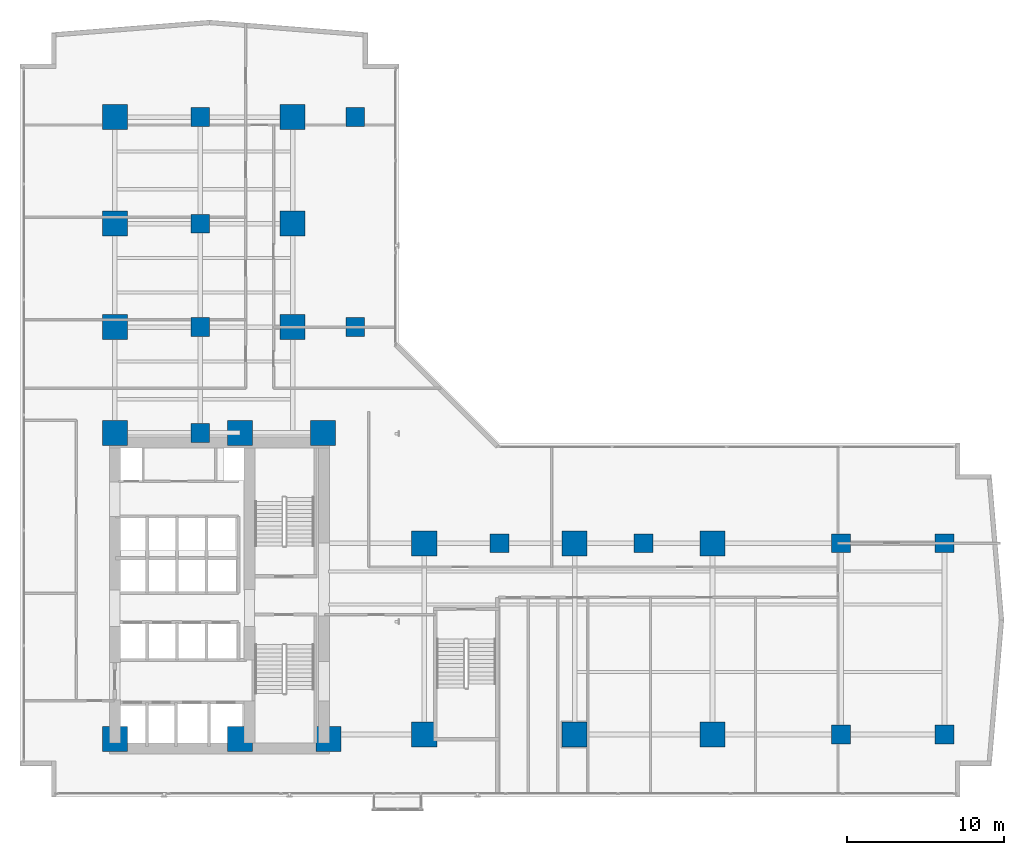
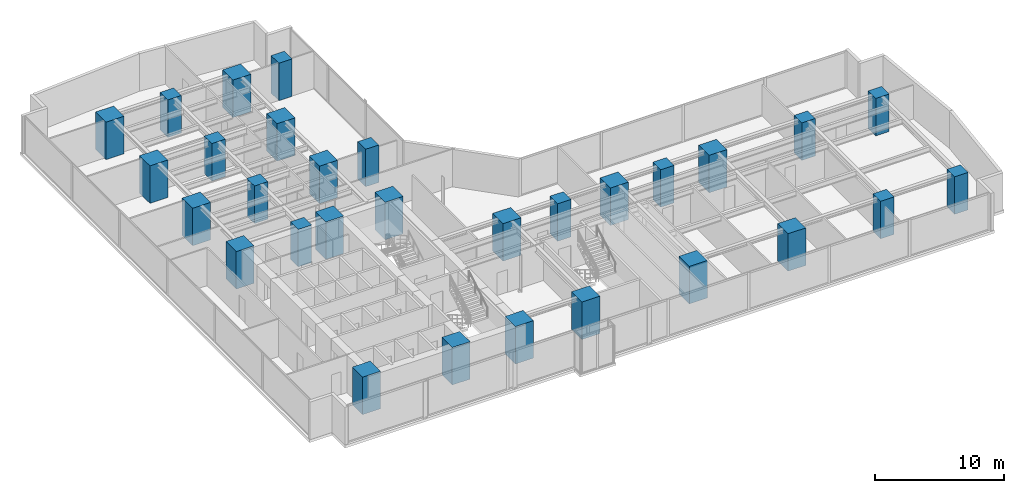
# One storey, part 1 of 27: 30 columns.
"""IFC4 building model written with IfcOpenShell, lengths in metres."""

from ifc_helpers import new_model, si_unit, direction, frame, origin, origin_2d, place, context, subcontext, project, spatial, rectangle, extrude, material, material_profile, profile_set, type_object, element, save


model = new_model("IFC4")

# Units and contexts
model_context = context("Model", 3, precision=1e-05, world=origin(), true_north=direction((0.0, 1.0)))
body_context = subcontext(model_context, "Body", "Model", "MODEL_VIEW")
ifc_project = project(units=[si_unit("LENGTHUNIT", "METRE"), si_unit("AREAUNIT", "SQUARE_METRE"), si_unit("VOLUMEUNIT", "CUBIC_METRE"), si_unit("PLANEANGLEUNIT", "RADIAN"), si_unit("MASSUNIT", "GRAM", prefix="KILO")], contexts=[model_context])

# Site, building, storey
site_placement = place(None, origin())
site = spatial("IfcSite", under=ifc_project, at=site_placement, CompositionType="ELEMENT")
building_placement = place(site_placement, origin())
building = spatial("IfcBuilding", under=site, at=building_placement, Name="Kolvaren Waterfront Exchange", CompositionType="ELEMENT")
storey_placement = place(building_placement, frame((0.0, 0.0, 60.0)))
storey = spatial("IfcBuildingStorey", under=building, at=storey_placement, Name="L15", CompositionType="ELEMENT", Elevation=60.0)

# Columns
ifc_material = material(Name="Concrete C70/85", Category="concrete")
ifc_material_profile_1 = material_profile(ifc_material, rectangle(XDim=1.199951171875, YDim=1.199951171875, at=origin_2d()), Name="RC-COL-1200x1200")
ifc_profile_set_1 = profile_set([ifc_material_profile_1], Name="Concrete C70/85")
column_type_1 = type_object("IfcColumnType", Name="STR-COL-1200-C70", PredefinedType="COLUMN", material=ifc_profile_set_1)
for number, where, z_axis, x_axis, name in (
    (1, (53.800048828125, 5.199951171875, 0.0), (0.0, 0.0, 1.0), (1.0, 0.0, 0.0), "L15 column ZC01"),
    (2, (53.800048828125, 17.39990234375, 0.0), (0.0, 0.0, 1.0), (1.0, 0.0, 0.0), "L15 column ZC02"),
    (3, (60.39990234375, 5.199951171875, 0.0), (0.0, 0.0, 1.0), (1.0, 0.0, 0.0), "L15 column ZC03"),
    (4, (60.39990234375, 17.39990234375, 0.0), (0.0, 0.0, 1.0), (1.0, 0.0, 0.0), "L15 column ZC04"),
    (5, (22.800048828125, 31.199951171875, 0.0), (0.0, 0.0, 1.0), (1.0, 0.0, 0.0), "L15 column ZC05"),
    (6, (22.800048828125, 44.60009765625, 0.0), (0.0, 0.0, 1.0), (1.0, 0.0, 0.0), "L15 column ZC06"),
    (7, (12.89990234375, 24.449951171875, 0.0), (0.0, 0.0, 1.0), (1.0, 0.0, 0.0), "L15 column TC01"),
    (8, (12.89990234375, 31.199951171875, 0.0), (0.0, 0.0, 1.0), (1.0, 0.0, 0.0), "L15 column TC02"),
    (9, (12.89990234375, 37.800048828125, 0.0), (0.0, 0.0, 1.0), (1.0, 0.0, 0.0), "L15 column TC03"),
    (10, (12.89990234375, 44.60009765625, 0.0), (0.0, 0.0, 1.0), (1.0, 0.0, 0.0), "L15 column TC04"),
    (11, (32.0, 17.39990234375, 0.0), (0.0, 0.0, 1.0), (1.0, 0.0, 0.0), "L15 column TC05"),
    (12, (41.199951171875, 17.39990234375, 0.0), (0.0, 0.0, 1.0), (1.0, 0.0, 0.0), "L15 column TC06"),
):
    element("IfcColumn", number, at=place(storey_placement, frame(where, z_axis=z_axis, x_axis=x_axis)), inside=storey, type_object=column_type_1, Name=name, PredefinedType="COLUMN", context=body_context, shape_type="SweptSolid", body=[
        extrude(rectangle(XDim=1.199951171875, YDim=1.199951171875, at=origin_2d()), origin(), (0.0, 0.0, 1.0), 3.5400390625),
    ])
ifc_material_profile_2 = material_profile(ifc_material, rectangle(XDim=1.60009765625, YDim=1.60009765625, at=origin_2d()), Name="RC-COL-1600x1600")
ifc_profile_set_2 = profile_set([ifc_material_profile_2], Name="Concrete C70/85")
column_type_2 = type_object("IfcColumnType", Name="STR-COL-1600-C70", PredefinedType="COLUMN", material=ifc_profile_set_2)
for number, where, z_axis, x_axis, name in (
    (13, (7.449951171875, 4.89990234375, 0.0), (0.0, 0.0, 1.0), (1.0, 0.0, 0.0), "L15 column MC01"),
    (14, (15.449951171875, 4.89990234375, 0.0), (0.0, 0.0, 1.0), (1.0, 0.0, 0.0), "L15 column MC02"),
    (15, (21.10009765625, 4.89990234375, 0.0), (0.0, 0.0, 1.0), (1.0, 0.0, 0.0), "L15 column MC03"),
    (16, (7.449951171875, 24.449951171875, 0.0), (0.0, 0.0, 1.0), (1.0, 0.0, 0.0), "L15 column MC04"),
    (17, (15.449951171875, 24.449951171875, 0.0), (0.0, 0.0, 1.0), (1.0, 0.0, 0.0), "L15 column MC05"),
    (18, (20.75, 24.449951171875, 0.0), (0.0, 0.0, 1.0), (1.0, 0.0, 0.0), "L15 column MC06"),
    (19, (7.449951171875, 31.199951171875, 0.0), (0.0, 0.0, 1.0), (1.0, 0.0, 0.0), "L15 column NC01"),
    (20, (7.449951171875, 37.800048828125, 0.0), (0.0, 0.0, 1.0), (1.0, 0.0, 0.0), "L15 column NC02"),
    (21, (7.449951171875, 44.60009765625, 0.0), (0.0, 0.0, 1.0), (1.0, 0.0, 0.0), "L15 column NC03"),
    (22, (18.800048828125, 31.199951171875, 0.0), (0.0, 0.0, 1.0), (1.0, 0.0, 0.0), "L15 column NC04"),
    (23, (18.800048828125, 37.800048828125, 0.0), (0.0, 0.0, 1.0), (1.0, 0.0, 0.0), "L15 column NC05"),
    (24, (18.800048828125, 44.60009765625, 0.0), (0.0, 0.0, 1.0), (1.0, 0.0, 0.0), "L15 column NC06"),
    (25, (27.199951171875, 5.199951171875, 0.0), (0.0, 0.0, 1.0), (1.0, 0.0, 0.0), "L15 column EC01"),
    (26, (36.800048828125, 5.199951171875, 0.0), (0.0, 0.0, 1.0), (1.0, 0.0, 0.0), "L15 column EC02"),
    (27, (45.60009765625, 5.199951171875, 0.0), (0.0, 0.0, 1.0), (1.0, 0.0, 0.0), "L15 column EC03"),
    (28, (27.199951171875, 17.39990234375, 0.0), (0.0, 0.0, 1.0), (1.0, 0.0, 0.0), "L15 column EC04"),
    (29, (36.800048828125, 17.39990234375, 0.0), (0.0, 0.0, 1.0), (1.0, 0.0, 0.0), "L15 column EC05"),
    (30, (45.60009765625, 17.39990234375, 0.0), (0.0, 0.0, 1.0), (1.0, 0.0, 0.0), "L15 column EC06"),
):
    element("IfcColumn", number, at=place(storey_placement, frame(where, z_axis=z_axis, x_axis=x_axis)), inside=storey, type_object=column_type_2, Name=name, PredefinedType="COLUMN", context=body_context, shape_type="SweptSolid", body=[
        extrude(rectangle(XDim=1.60009765625, YDim=1.60009765625, at=origin_2d()), origin(), (0.0, 0.0, 1.0), 3.5400390625),
    ])

save(model, "model.ifc")
